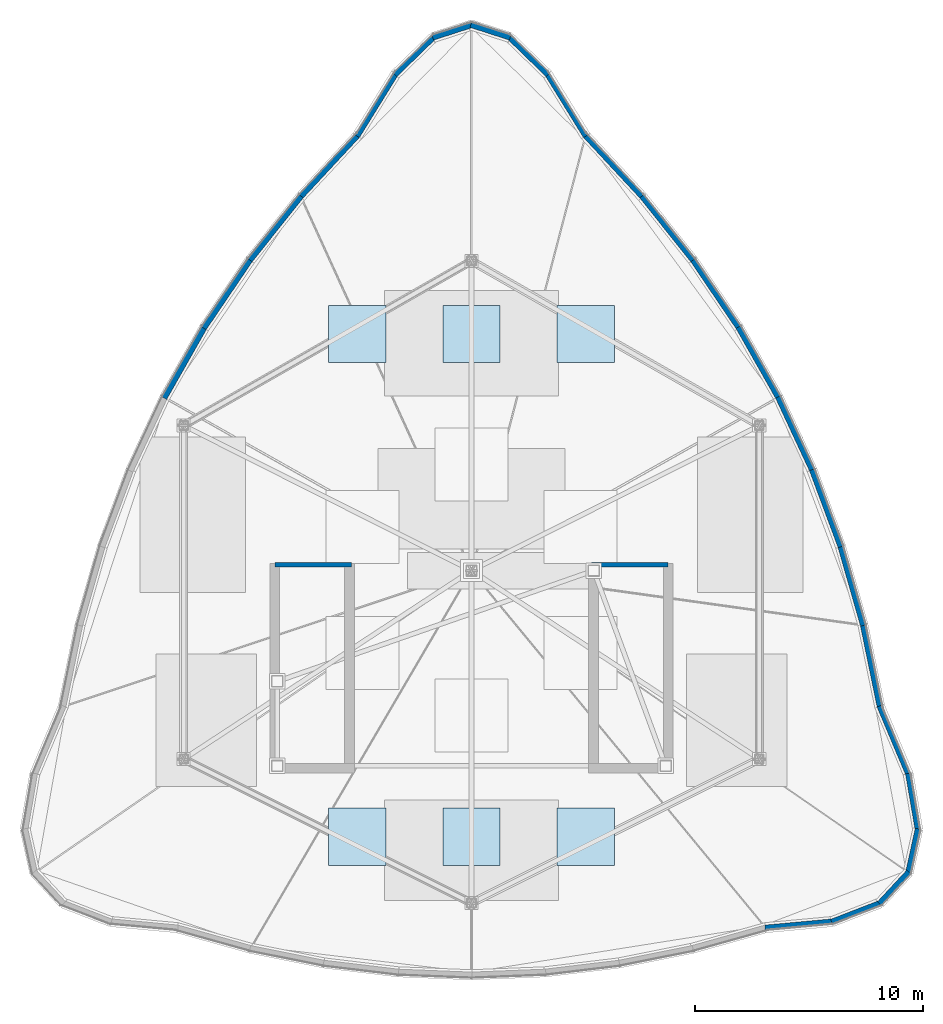
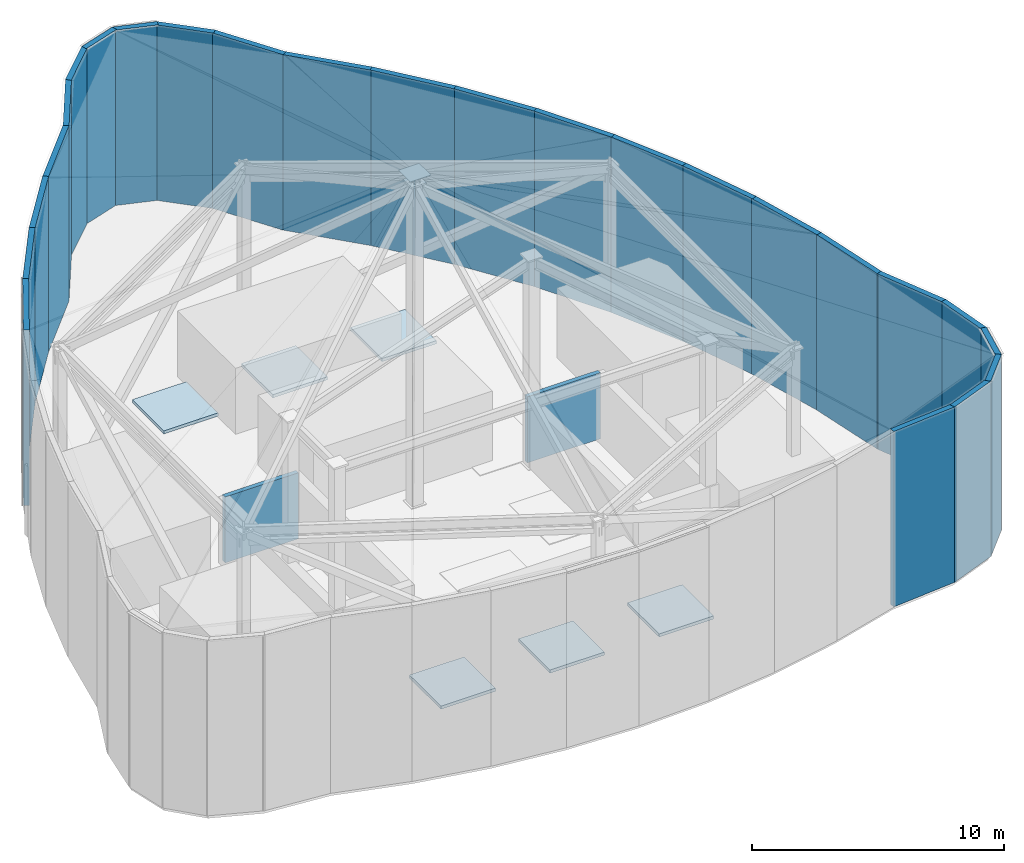
# One storey, part 4 of 6: 26 walls, 6 roofs.
"""IFC4 building model written with IfcOpenShell, lengths in metres."""

from ifc_helpers import new_model, si_unit, direction, frame, frame_2d, origin, place, context, subcontext, project, spatial, polyline, rectangle, outline, extrude, material, layer, layer_set, type_object, element, save


model = new_model("IFC4")

# Units and contexts
model_context = context("Model", 3, precision=1e-05, world=origin(), true_north=direction((0.0, 1.0)))
body_context = subcontext(model_context, "Body", "Model", "MODEL_VIEW")
ifc_project = project(units=[si_unit("LENGTHUNIT", "METRE"), si_unit("AREAUNIT", "SQUARE_METRE"), si_unit("VOLUMEUNIT", "CUBIC_METRE"), si_unit("PLANEANGLEUNIT", "RADIAN"), si_unit("MASSUNIT", "GRAM", prefix="KILO")], contexts=[model_context])

# Site, building, storey
site_placement = place(None, origin())
site = spatial("IfcSite", under=ifc_project, at=site_placement, CompositionType="ELEMENT")
building_placement = place(site_placement, origin())
building = spatial("IfcBuilding", under=site, at=building_placement, Name="Miruveldt Soraemaru", CompositionType="ELEMENT")
storey_placement = place(building_placement, frame((0.0, 0.0, 318.0)))
storey = spatial("IfcBuildingStorey", under=building, at=storey_placement, Name="RF", CompositionType="ELEMENT", Elevation=318.0)

# Walls
ifc_material_1 = material(Name="Concrete C50/60 (50 MPa)", Category="concrete")
ifc_layer_1 = layer(ifc_material_1, 0.419921875, Name="Concrete C50/60 (50 MPa)", Category="concrete")
ifc_layer_set_1 = layer_set([ifc_layer_1], Name="Concrete C50/60 (50 MPa)")
wall_type_1 = type_object("IfcWallType", Name="WALL-CW-420", PredefinedType="SHEAR", material=ifc_layer_set_1)
for number, where, z_axis, x_axis, name in (
    (1, (35.39990234375, 44.300048828125, 0.0), (0.0, 0.0, 1.0), (1.0, 0.0, 0.0), "RF Stair Headhouse Wall ST1-N"),
    (2, (49.25, 44.300048828125, 0.0), (0.0, 0.0, 1.0), (1.0, 0.0, 0.0), "RF Stair Headhouse Wall ST2-N"),
):
    element("IfcWall", number, at=place(storey_placement, frame(where, z_axis=z_axis, x_axis=x_axis)), inside=storey, type_object=wall_type_1, Name=name, PredefinedType="SHEAR", context=body_context, shape_type="SweptSolid", body=[
        extrude(rectangle(XDim=3.35009765625, YDim=0.199951171875, at=frame_2d((1.675048828125, 0.0))), origin(), (0.0, 0.0, 1.0), 3.199951171875),
    ])
ifc_material_2 = material(Name="Precast concrete C45/55 (45 MPa)", Category="concrete")
ifc_layer_2 = layer(ifc_material_2, 0.239990234375, Name="Precast concrete C45/55 (45 MPa)", Category="concrete")
ifc_layer_set_2 = layer_set([ifc_layer_2], Name="Precast concrete C45/55 (45 MPa)")
wall_type_2 = type_object("IfcWallType", Name="WALL-EXT-PC240", PredefinedType="SOLIDWALL", material=ifc_layer_set_2)
wall_1_placement = place(storey_placement, frame((49.0068359375, 63.060546875, 0.0), z_axis=(0.0, 0.0, 1.0), x_axis=(-0.52612505912, 0.850407209615, 0.0)))
element("IfcWall", 3, at=wall_1_placement, inside=storey, type_object=wall_type_2, Name="RF Crown Enclosure Wall 1", PredefinedType="SOLIDWALL", context=body_context, shape_type="SweptSolid", body=[
    extrude(rectangle(XDim=3.22216796875, YDim=0.239990234375, at=frame_2d((1.611083984375, 0.0))), origin(), (0.0, 0.0, 1.0), 8.5),
])
wall_2_placement = place(storey_placement, frame((47.348876953125, 65.75439453125, 0.0), z_axis=(0.0, 0.0, 1.0), x_axis=(-0.717805534498, 0.696243646035, 0.0)))
element("IfcWall", 4, at=wall_2_placement, inside=storey, type_object=wall_type_2, Name="RF Crown Enclosure Wall 2", PredefinedType="SOLIDWALL", context=body_context, shape_type="SweptSolid", body=[
    extrude(rectangle(XDim=2.377685546875, YDim=0.239990234375, at=frame_2d((1.18896484375, 0.0))), origin(), (0.0, 0.0, 1.0), 8.5),
])
for number, where, z_axis, x_axis, name in (
    (5, (45.692138671875, 67.3798828125, 0.0), (0.0, 0.0, 1.0), (-0.951493348296, 0.307669316227, 0.0), "RF Crown Enclosure Wall 3"),
    (6, (44.028564453125, 67.936279296875, 0.0), (0.0, 0.0, 1.0), (-0.951493348296, -0.307669316227, 0.0), "RF Crown Enclosure Wall 4"),
):
    element("IfcWall", number, at=place(storey_placement, frame(where, z_axis=z_axis, x_axis=x_axis)), inside=storey, type_object=wall_type_2, Name=name, PredefinedType="SOLIDWALL", context=body_context, shape_type="SweptSolid", body=[
        extrude(rectangle(XDim=1.808349609375, YDim=0.239990234375, at=frame_2d((0.904296875, 0.0))), origin(), (0.0, 0.0, 1.0), 8.5),
    ])
wall_3_placement = place(storey_placement, frame((42.35791015625, 67.409912109375, 0.0), z_axis=(0.0, 0.0, 1.0), x_axis=(-0.717805534498, -0.696243646035, 0.0)))
element("IfcWall", 7, at=wall_3_placement, inside=storey, type_object=wall_type_2, Name="RF Crown Enclosure Wall 5", PredefinedType="SOLIDWALL", context=body_context, shape_type="SweptSolid", body=[
    extrude(rectangle(XDim=2.377685546875, YDim=0.239990234375, at=frame_2d((1.18896484375, 0.0))), origin(), (0.0, 0.0, 1.0), 8.5),
])
wall_4_placement = place(storey_placement, frame((40.6884765625, 65.80078125, 0.0), z_axis=(0.0, 0.0, 1.0), x_axis=(-0.52612505912, -0.850407209615, 0.0)))
element("IfcWall", 8, at=wall_4_placement, inside=storey, type_object=wall_type_2, Name="RF Crown Enclosure Wall 6", PredefinedType="SOLIDWALL", context=body_context, shape_type="SweptSolid", body=[
    extrude(rectangle(XDim=3.22216796875, YDim=0.239990234375, at=frame_2d((1.611083984375, 0.0))), origin(), (0.0, 0.0, 1.0), 8.5),
])
wall_5_placement = place(storey_placement, frame((39.029296875, 63.10791015625, 0.0), z_axis=(0.0, 0.0, 1.0), x_axis=(-0.680867564463, -0.732406553536, 0.0)))
element("IfcWall", 9, at=wall_5_placement, inside=storey, type_object=wall_type_2, Name="RF Crown Enclosure Wall 7", PredefinedType="SOLIDWALL", context=body_context, shape_type="SweptSolid", body=[
    extrude(rectangle(XDim=3.708984375, YDim=0.239990234375, at=frame_2d((1.8544921875, 0.0))), origin(), (0.0, 0.0, 1.0), 8.5),
])
wall_6_placement = place(storey_placement, frame((36.54296875, 60.436767578125, 0.0), z_axis=(0.0, 0.0, 1.0), x_axis=(-0.623607667842, -0.781737472946, 0.0)))
element("IfcWall", 10, at=wall_6_placement, inside=storey, type_object=wall_type_2, Name="RF Crown Enclosure Wall 8", PredefinedType="SOLIDWALL", context=body_context, shape_type="SweptSolid", body=[
    extrude(rectangle(XDim=3.6435546875, YDim=0.239990234375, at=frame_2d((1.82177734375, 0.0))), origin(), (0.0, 0.0, 1.0), 8.5),
])
wall_7_placement = place(storey_placement, frame((34.306396484375, 57.63671875, 0.0), z_axis=(0.0, 0.0, 1.0), x_axis=(-0.560867641863, -0.827905482716, 0.0)))
element("IfcWall", 11, at=wall_7_placement, inside=storey, type_object=wall_type_2, Name="RF Crown Enclosure Wall 9", PredefinedType="SOLIDWALL", context=body_context, shape_type="SweptSolid", body=[
    extrude(rectangle(XDim=3.599365234375, YDim=0.239990234375, at=frame_2d((1.7998046875, 0.0))), origin(), (0.0, 0.0, 1.0), 8.5),
])
wall_8_placement = place(storey_placement, frame((32.3193359375, 54.707763671875, 0.0), z_axis=(0.0, 0.0, 1.0), x_axis=(-0.493343188732, -0.869834753348, 0.0)))
element("IfcWall", 12, at=wall_8_placement, inside=storey, type_object=wall_type_2, Name="RF Crown Enclosure Wall 10", PredefinedType="SOLIDWALL", context=body_context, shape_type="SweptSolid", body=[
    extrude(rectangle(XDim=3.576904296875, YDim=0.239990234375, at=frame_2d((1.78857421875, 0.0))), origin(), (0.0, 0.0, 1.0), 8.5),
])
wall_9_placement = place(storey_placement, frame((56.851318359375, 28.4130859375, 0.0), z_axis=(0.0, 0.0, 1.0), x_axis=(0.99575457303, 0.092047978197, 0.0)))
element("IfcWall", 13, at=wall_9_placement, inside=storey, type_object=wall_type_2, Name="RF Crown Enclosure Wall 29", PredefinedType="SOLIDWALL", context=body_context, shape_type="SweptSolid", body=[
    extrude(rectangle(XDim=2.98388671875, YDim=0.239990234375, at=frame_2d((1.491943359375, 0.0))), origin(), (0.0, 0.0, 1.0), 8.5),
])
wall_10_placement = place(storey_placement, frame((59.764404296875, 28.674072265625, 0.0), z_axis=(0.0, 0.0, 1.0), x_axis=(0.932292379014, 0.361705570916, 0.0)))
element("IfcWall", 14, at=wall_10_placement, inside=storey, type_object=wall_type_2, Name="RF Crown Enclosure Wall 30", PredefinedType="SOLIDWALL", context=body_context, shape_type="SweptSolid", body=[
    extrude(rectangle(XDim=2.290771484375, YDim=0.239990234375, at=frame_2d((1.1455078125, 0.0))), origin(), (0.0, 0.0, 1.0), 8.5),
])
wall_11_placement = place(storey_placement, frame((61.851806640625, 29.4697265625, 0.0), z_axis=(0.0, 0.0, 1.0), x_axis=(0.680124759324, 0.733096386401, 0.0)))
element("IfcWall", 15, at=wall_11_placement, inside=storey, type_object=wall_type_2, Name="RF Crown Enclosure Wall 31", PredefinedType="SOLIDWALL", context=body_context, shape_type="SweptSolid", body=[
    extrude(rectangle(XDim=1.894287109375, YDim=0.239990234375, at=frame_2d((0.947265625, 0.0))), origin(), (0.0, 0.0, 1.0), 8.5),
])
wall_12_placement = place(storey_placement, frame((63.11328125, 30.80712890625, 0.0), z_axis=(0.0, 0.0, 1.0), x_axis=(0.215773023967, 0.976443547845, 0.0)))
element("IfcWall", 16, at=wall_12_placement, inside=storey, type_object=wall_type_2, Name="RF Crown Enclosure Wall 32", PredefinedType="SOLIDWALL", context=body_context, shape_type="SweptSolid", body=[
    extrude(rectangle(XDim=1.988037109375, YDim=0.239990234375, at=frame_2d((0.994140625, 0.0))), origin(), (0.0, 0.0, 1.0), 8.5),
])
wall_13_placement = place(storey_placement, frame((63.540771484375, 32.689453125, 0.0), z_axis=(0.0, 0.0, 1.0), x_axis=(-0.169322001461, 0.985560784438, 0.0)))
element("IfcWall", 17, at=wall_13_placement, inside=storey, type_object=wall_type_2, Name="RF Crown Enclosure Wall 33", PredefinedType="SOLIDWALL", context=body_context, shape_type="SweptSolid", body=[
    extrude(rectangle(XDim=2.51611328125, YDim=0.239990234375, at=frame_2d((1.258056640625, 0.0))), origin(), (0.0, 0.0, 1.0), 8.5),
])
wall_14_placement = place(storey_placement, frame((63.131591796875, 35.112060546875, 0.0), z_axis=(0.0, 0.0, 1.0), x_axis=(-0.38868763357, 0.921369591157, 0.0)))
element("IfcWall", 18, at=wall_14_placement, inside=storey, type_object=wall_type_2, Name="RF Crown Enclosure Wall 34", PredefinedType="SOLIDWALL", context=body_context, shape_type="SweptSolid", body=[
    extrude(rectangle(XDim=3.2705078125, YDim=0.239990234375, at=frame_2d((1.63525390625, 0.0))), origin(), (0.0, 0.0, 1.0), 8.5),
])
wall_15_placement = place(storey_placement, frame((61.878173828125, 38.068603515625, 0.0), z_axis=(0.0, 0.0, 1.0), x_axis=(-0.201530352789, 0.979482269827, 0.0)))
element("IfcWall", 19, at=wall_15_placement, inside=storey, type_object=wall_type_2, Name="RF Crown Enclosure Wall 35", PredefinedType="SOLIDWALL", context=body_context, shape_type="SweptSolid", body=[
    extrude(rectangle(XDim=3.70947265625, YDim=0.239990234375, at=frame_2d((1.854736328125, 0.0))), origin(), (0.0, 0.0, 1.0), 8.5),
])
wall_16_placement = place(storey_placement, frame((61.144775390625, 41.6435546875, 0.0), z_axis=(0.0, 0.0, 1.0), x_axis=(-0.274986607088, 0.961448056799, 0.0)))
element("IfcWall", 20, at=wall_16_placement, inside=storey, type_object=wall_type_2, Name="RF Crown Enclosure Wall 36", PredefinedType="SOLIDWALL", context=body_context, shape_type="SweptSolid", body=[
    extrude(rectangle(XDim=3.6435546875, YDim=0.239990234375, at=frame_2d((1.82177734375, 0.0))), origin(), (0.0, 0.0, 1.0), 8.5),
])
wall_17_placement = place(storey_placement, frame((60.16162109375, 45.08984375, 0.0), z_axis=(0.0, 0.0, 1.0), x_axis=(-0.349063473183, 0.937099083176, 0.0)))
element("IfcWall", 21, at=wall_17_placement, inside=storey, type_object=wall_type_2, Name="RF Crown Enclosure Wall 37", PredefinedType="SOLIDWALL", context=body_context, shape_type="SweptSolid", body=[
    extrude(rectangle(XDim=3.59912109375, YDim=0.239990234375, at=frame_2d((1.799560546875, 0.0))), origin(), (0.0, 0.0, 1.0), 8.5),
])
for number, where, z_axis, x_axis, name in (
    (22, (58.928466796875, 48.407470703125, 0.0), (0.0, 0.0, 1.0), (-0.422306190726, 0.906453242741, 0.0), "RF Crown Enclosure Wall 38"),
    (23, (57.4453125, 51.596435546875, 0.0), (0.0, 0.0, 1.0), (-0.493343188732, 0.869834753348, 0.0), "RF Crown Enclosure Wall 39"),
):
    element("IfcWall", number, at=place(storey_placement, frame(where, z_axis=z_axis, x_axis=x_axis)), inside=storey, type_object=wall_type_2, Name=name, PredefinedType="SOLIDWALL", context=body_context, shape_type="SweptSolid", body=[
        extrude(rectangle(XDim=3.576904296875, YDim=0.239990234375, at=frame_2d((1.78857421875, 0.0))), origin(), (0.0, 0.0, 1.0), 8.5),
    ])
wall_18_placement = place(storey_placement, frame((55.71240234375, 54.65673828125, 0.0), z_axis=(0.0, 0.0, 1.0), x_axis=(-0.560867641863, 0.827905482716, 0.0)))
element("IfcWall", 24, at=wall_18_placement, inside=storey, type_object=wall_type_2, Name="RF Crown Enclosure Wall 40", PredefinedType="SOLIDWALL", context=body_context, shape_type="SweptSolid", body=[
    extrude(rectangle(XDim=3.599365234375, YDim=0.239990234375, at=frame_2d((1.7998046875, 0.0))), origin(), (0.0, 0.0, 1.0), 8.5),
])
wall_19_placement = place(storey_placement, frame((53.729248046875, 57.58837890625, 0.0), z_axis=(0.0, 0.0, 1.0), x_axis=(-0.623607667842, 0.781737472946, 0.0)))
element("IfcWall", 25, at=wall_19_placement, inside=storey, type_object=wall_type_2, Name="RF Crown Enclosure Wall 41", PredefinedType="SOLIDWALL", context=body_context, shape_type="SweptSolid", body=[
    extrude(rectangle(XDim=3.6435546875, YDim=0.239990234375, at=frame_2d((1.82177734375, 0.0))), origin(), (0.0, 0.0, 1.0), 8.5),
])
wall_20_placement = place(storey_placement, frame((51.49609375, 60.391357421875, 0.0), z_axis=(0.0, 0.0, 1.0), x_axis=(-0.680867564463, 0.732406553536, 0.0)))
element("IfcWall", 26, at=wall_20_placement, inside=storey, type_object=wall_type_2, Name="RF Crown Enclosure Wall 42", PredefinedType="SOLIDWALL", context=body_context, shape_type="SweptSolid", body=[
    extrude(rectangle(XDim=3.708984375, YDim=0.239990234375, at=frame_2d((1.8544921875, 0.0))), origin(), (0.0, 0.0, 1.0), 8.5),
])

# Roofs
roof_1_placement = place(storey_placement, origin())
element("IfcRoof", 27, at=roof_1_placement, inside=storey, Name="RF Waterproofed Crown Deck Roof Zone G1", PredefinedType="FLAT_ROOF", context=body_context, shape_type="SweptSolid", body=[
    extrude(outline(polyline([(37.75, 53.14990234375), (40.25, 53.14990234375), (40.25, 55.64990234375), (37.75, 55.64990234375), (37.75, 53.14990234375)])), origin(), (0.0, 0.0, 1.0), 0.14990234375),
])
roof_2_placement = place(storey_placement, origin())
element("IfcRoof", 28, at=roof_2_placement, inside=storey, Name="RF Waterproofed Crown Deck Roof Zone G2", PredefinedType="FLAT_ROOF", context=body_context, shape_type="SweptSolid", body=[
    extrude(outline(polyline([(42.75, 53.14990234375), (45.25, 53.14990234375), (45.25, 55.64990234375), (42.75, 55.64990234375), (42.75, 53.14990234375)])), origin(), (0.0, 0.0, 1.0), 0.14990234375),
])
roof_3_placement = place(storey_placement, origin())
element("IfcRoof", 29, at=roof_3_placement, inside=storey, Name="RF Waterproofed Crown Deck Roof Zone G3", PredefinedType="FLAT_ROOF", context=body_context, shape_type="SweptSolid", body=[
    extrude(outline(polyline([(47.75, 53.14990234375), (50.25, 53.14990234375), (50.25, 55.64990234375), (47.75, 55.64990234375), (47.75, 53.14990234375)])), origin(), (0.0, 0.0, 1.0), 0.14990234375),
])
roof_4_placement = place(storey_placement, origin())
element("IfcRoof", 30, at=roof_4_placement, inside=storey, Name="RF Waterproofed Crown Deck Roof Zone G4", PredefinedType="FLAT_ROOF", context=body_context, shape_type="SweptSolid", body=[
    extrude(outline(polyline([(37.75, 31.14990234375), (40.25, 31.14990234375), (40.25, 33.64990234375), (37.75, 33.64990234375), (37.75, 31.14990234375)])), origin(), (0.0, 0.0, 1.0), 0.14990234375),
])
roof_5_placement = place(storey_placement, origin())
element("IfcRoof", 31, at=roof_5_placement, inside=storey, Name="RF Waterproofed Crown Deck Roof Zone G5", PredefinedType="FLAT_ROOF", context=body_context, shape_type="SweptSolid", body=[
    extrude(outline(polyline([(42.75, 31.14990234375), (45.25, 31.14990234375), (45.25, 33.64990234375), (42.75, 33.64990234375), (42.75, 31.14990234375)])), origin(), (0.0, 0.0, 1.0), 0.14990234375),
])
roof_6_placement = place(storey_placement, origin())
element("IfcRoof", 32, at=roof_6_placement, inside=storey, Name="RF Waterproofed Crown Deck Roof Zone G6", PredefinedType="FLAT_ROOF", context=body_context, shape_type="SweptSolid", body=[
    extrude(outline(polyline([(47.75, 31.14990234375), (50.25, 31.14990234375), (50.25, 33.64990234375), (47.75, 33.64990234375), (47.75, 31.14990234375)])), origin(), (0.0, 0.0, 1.0), 0.14990234375),
])

save(model, "model.ifc")
